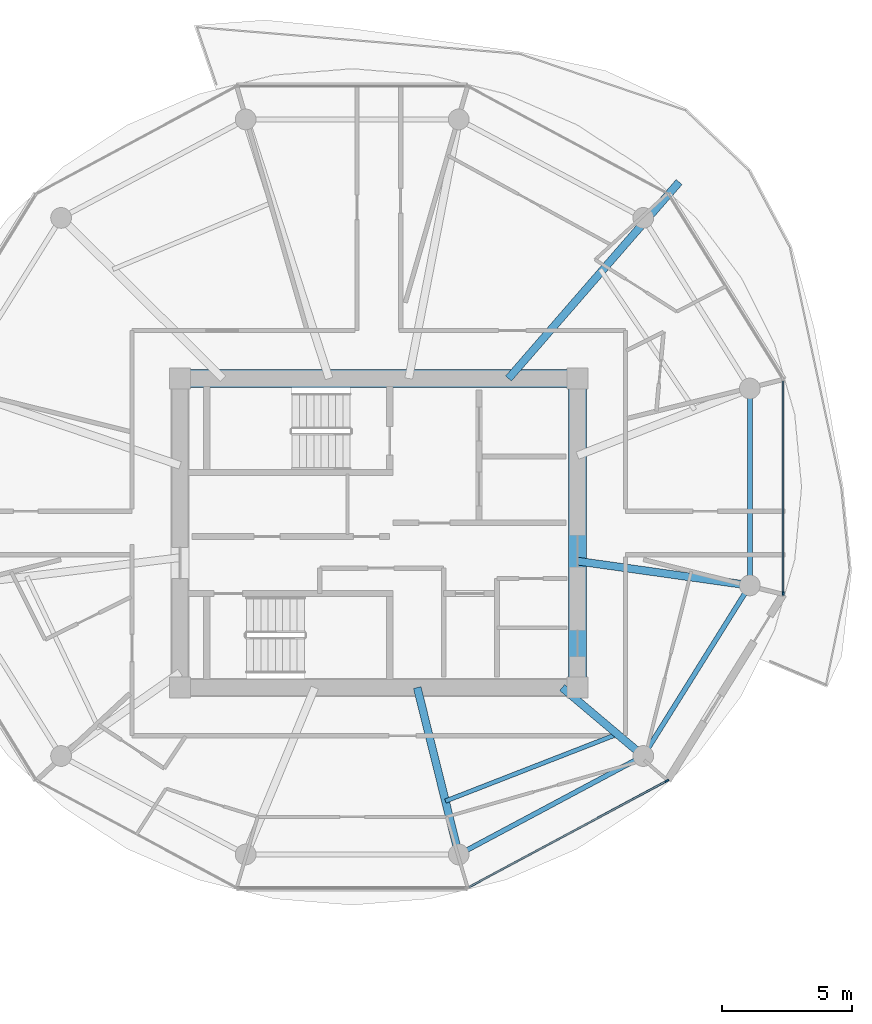
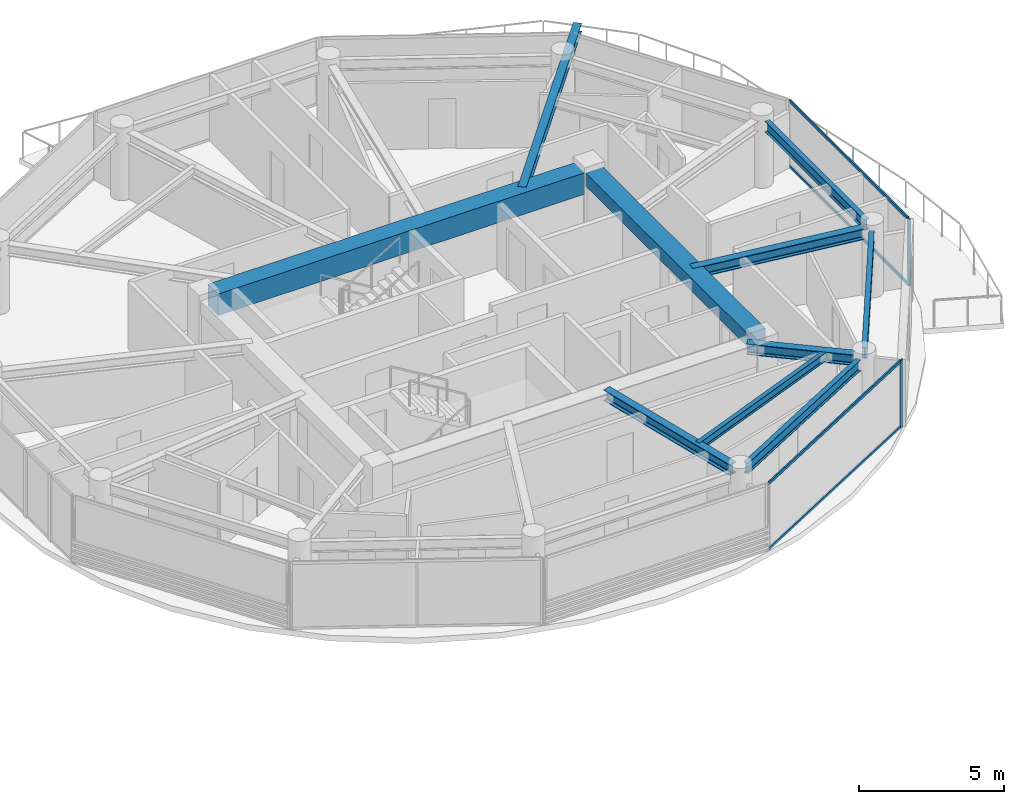
# One storey, part 9 of 22: 10 beams, 6 members, 2 elements without a shape of their own.
"""IFC4 building model written with IfcOpenShell, lengths in metres."""

import ifcopenshell
import ifcopenshell.guid

model = None  # the IFC model being written
_history = None  # IfcOwnerHistory: only IFC2X3 demands one
_inside = {}  # id of a spatial element -> (the spatial element, [elements in it])
_under = {}  # id of a project, library or spatial element -> (it, [spatial elements below it])
_declared = {}  # id of a project -> (the project, [libraries it declares])
_typed = {}  # id of a type object -> (the type object, [elements of that type])
_made_of = {}  # id of a material, layer set ... -> (it, [elements and type objects made of it])


def new_model(schema):
    """Start an empty IFC model of exactly this schema.

    Asked for "IFC4X3", IfcOpenShell would pick the latest addendum, in which some entities
    have other attributes; the version numbers below select the first issue.
    IFC2X3 requires an IfcOwnerHistory on every rooted entity: one is made here for all.
    """
    global model, _history
    if schema == "IFC4X3":
        model = ifcopenshell.file(schema_version=(4, 3, 0, 0))
    else:
        model = ifcopenshell.file(schema=schema)
    _inside.clear()
    _under.clear()
    _declared.clear()
    _typed.clear()
    _made_of.clear()
    _history = None
    if model.schema == "IFC2X3":
        org = make("IfcOrganization", Name="unknown")
        user = make(
            "IfcPersonAndOrganization",
            ThePerson=make("IfcPerson", FamilyName="unknown"),
            TheOrganization=org,
        )
        app = make(
            "IfcApplication",
            ApplicationDeveloper=org,
            Version="unknown",
            ApplicationFullName="unknown",
            ApplicationIdentifier="unknown",
        )
        _history = make(
            "IfcOwnerHistory",
            OwningUser=user,
            OwningApplication=app,
            ChangeAction="ADDED",
            CreationDate=0,
        )
    return model


def make(cls, **values):
    """One entity of the class cls with the attributes given. An attribute that is None is left unset."""
    return model.create_entity(
        cls, **{name: value for name, value in values.items() if value is not None}
    )


def rooted(cls, **values):
    """An entity with a GlobalId (a new one), such as an element, a storey or a relation."""
    return make(cls, GlobalId=ifcopenshell.guid.new(), OwnerHistory=_history, **values)


def si_unit(unit_type, name, prefix=None):
    """IfcSIUnit, for example si_unit("LENGTHUNIT", "METRE", prefix="MILLI")."""
    return make("IfcSIUnit", UnitType=unit_type, Prefix=prefix, Name=name)


def assignment(units):
    """IfcUnitAssignment: the units of a project."""
    return None if units is None else make("IfcUnitAssignment", Units=units)


def point(xyz):
    """IfcCartesianPoint."""
    return None if xyz is None else make("IfcCartesianPoint", Coordinates=xyz)


def direction(xyz):
    """IfcDirection."""
    return None if xyz is None else make("IfcDirection", DirectionRatios=xyz)


def frame(location, z_axis=None, x_axis=None):
    """IfcAxis2Placement3D, a coordinate frame: its origin and axes. An axis left out is left unset."""
    return make(
        "IfcAxis2Placement3D",
        Location=point(location),
        Axis=direction(z_axis),
        RefDirection=direction(x_axis),
    )


def frame_2d(location, x_axis=None):
    """IfcAxis2Placement2D, a coordinate frame in the plane: its origin and x axis."""
    return make(
        "IfcAxis2Placement2D", Location=point(location), RefDirection=direction(x_axis)
    )


def origin():
    """The frame at (0, 0, 0) with its axes left unset."""
    return frame((0.0, 0.0, 0.0))


def origin_2d():
    """The frame at (0, 0) in the plane with its x axis left unset."""
    return frame_2d((0.0, 0.0))


def place(relative_to, where):
    """IfcLocalPlacement: puts the frame where relative to a parent placement (None: the world)."""
    return make(
        "IfcLocalPlacement", PlacementRelTo=relative_to, RelativePlacement=where
    )


def context(
    kind, dimensions, precision=None, world=None, true_north=None, identifier=None
):
    """IfcGeometricRepresentationContext, for example the 3D "Model" context."""
    return make(
        "IfcGeometricRepresentationContext",
        ContextIdentifier=identifier,
        ContextType=kind,
        CoordinateSpaceDimension=dimensions,
        Precision=precision,
        WorldCoordinateSystem=world,
        TrueNorth=true_north,
    )


def subcontext(parent, identifier, kind, view, scale=None):
    """IfcGeometricRepresentationSubContext, for example "Body" below "Model"."""
    return make(
        "IfcGeometricRepresentationSubContext",
        ContextIdentifier=identifier,
        ContextType=kind,
        ParentContext=parent,
        TargetScale=scale,
        TargetView=view,
    )


def project(units=None, contexts=None):
    """IfcProject with its units and contexts."""
    return rooted(
        "IfcProject",
        Name="project",
        RepresentationContexts=contexts,
        UnitsInContext=assignment(units),
    )


def spatial(cls, under=None, at=None, **own):
    """A site, building, storey or space (cls), placed at a placement, below another one or the project."""
    s = rooted(cls, ObjectPlacement=at, **own)
    if under is not None:
        _under.setdefault(under.id(), (under, []))[1].append(s)
    return s


def profile(cls, at=None, kind="AREA", **sizes):
    """A parametric profile (cls). Its sizes go by their IFC names, for example OverallWidth=200.0."""
    return make(cls, ProfileType=kind, Position=at, **sizes)


def rectangle(**sizes):
    """IfcRectangleProfileDef."""
    return profile("IfcRectangleProfileDef", **sizes)


def i_section(**sizes):
    """IfcIShapeProfileDef."""
    return profile("IfcIShapeProfileDef", **sizes)


def extrude(swept, where, along, depth):
    """IfcExtrudedAreaSolid: the profile swept, set in the frame where, extruded along a direction by depth."""
    return make(
        "IfcExtrudedAreaSolid",
        SweptArea=swept,
        Position=where,
        ExtrudedDirection=direction(along),
        Depth=depth,
    )


def shape(context_of_items, identifier, shape_type, items):
    """IfcShapeRepresentation: the items that make up one representation, for example the "Body"."""
    return make(
        "IfcShapeRepresentation",
        ContextOfItems=context_of_items,
        RepresentationIdentifier=identifier,
        RepresentationType=shape_type,
        Items=items,
    )


def source(mapping_origin, context_of_items, identifier, shape_type, items):
    """IfcRepresentationMap: a shape defined once, which mapped items show again and again."""
    return make(
        "IfcRepresentationMap",
        MappingOrigin=mapping_origin,
        MappedRepresentation=shape(context_of_items, identifier, shape_type, items),
    )


def transform(
    local_origin,
    x_axis=None,
    y_axis=None,
    z_axis=None,
    scale=None,
    scale2=None,
    scale3=None,
    uniform=True,
):
    """IfcCartesianTransformationOperator3D, or its non-uniform kind. x_axis, y_axis, z_axis: its Axis1, 2, 3."""
    if uniform:
        return make(
            "IfcCartesianTransformationOperator3D",
            Axis1=direction(x_axis),
            Axis2=direction(y_axis),
            LocalOrigin=point(local_origin),
            Scale=scale,
            Axis3=direction(z_axis),
        )
    return make(
        "IfcCartesianTransformationOperator3DnonUniform",
        Axis1=direction(x_axis),
        Axis2=direction(y_axis),
        LocalOrigin=point(local_origin),
        Scale=scale,
        Axis3=direction(z_axis),
        Scale2=scale2,
        Scale3=scale3,
    )


def mapped(mapping_source, mapping_target):
    """IfcMappedItem: shows the shape of a source again, moved by a transform."""
    return make(
        "IfcMappedItem", MappingSource=mapping_source, MappingTarget=mapping_target
    )


def material(Name=None, Category=None):
    """IfcMaterial."""
    return make("IfcMaterial", Name=Name, Category=Category)


def layer(
    of_material, thickness, ventilated=None, Name=None, Category=None, Priority=None
):
    """IfcMaterialLayer: one layer of a wall or slab, of a material (None: an air gap)."""
    return make(
        "IfcMaterialLayer",
        Material=of_material,
        LayerThickness=thickness,
        IsVentilated=ventilated,
        Name=Name,
        Category=Category,
        Priority=Priority,
    )


def layer_set(layers, Name=None):
    """IfcMaterialLayerSet."""
    return make("IfcMaterialLayerSet", MaterialLayers=layers, LayerSetName=Name)


def material_profile(
    of_material, cross_section, Name=None, Category=None, Priority=None
):
    """IfcMaterialProfile: a cross section and its material."""
    return make(
        "IfcMaterialProfile",
        Name=Name,
        Material=of_material,
        Profile=cross_section,
        Priority=Priority,
        Category=Category,
    )


def profile_set(profiles, Name=None, composite=None):
    """IfcMaterialProfileSet."""
    return make(
        "IfcMaterialProfileSet",
        Name=Name,
        MaterialProfiles=profiles,
        CompositeProfile=composite,
    )


def made_of(thing, what):
    """Note that an element or type object is made of a material, layer set ...; save() writes the relation."""
    if what is not None:
        _made_of.setdefault(what.id(), (what, []))[1].append(thing)
    return thing


def type_object(cls, material=None, **own):
    """A type object (cls), such as IfcWallType, which elements share."""
    return made_of(rooted(cls, **own), material)


def type_shapes(of_type, sources):
    """Give a type object the sources (RepresentationMaps) that its elements show as mapped items."""
    of_type.RepresentationMaps = sources


def element(
    cls,
    number,
    at=None,
    inside=None,
    cuts=None,
    type_object=None,
    material=None,
    context=None,
    identifier="Body",
    shape_type=None,
    held_by="IfcProductDefinitionShape",
    body=None,
    shapes=None,
    **own,
):
    """One element of the class cls, such as IfcWall. Its Tag is "e" and its number.

    at: its placement. inside: the storey or other place that contains it. cuts: it is an
    opening in that element (IfcRelVoidsElement). A single representation is given by context,
    identifier, shape_type and body (its items); several are given by shapes. held_by: the class
    of the entity that holds the representations. save() writes the other relations.
    """
    e = rooted(cls, Tag="e%d" % number, ObjectPlacement=at, **own)
    if body is not None:
        shapes = [shape(context, identifier, shape_type, body)]
    if shapes is not None:
        e.Representation = make(held_by, Representations=shapes)
    if inside is not None:
        _inside.setdefault(inside.id(), (inside, []))[1].append(e)
    if cuts is not None:
        rooted(
            "IfcRelVoidsElement", RelatingBuildingElement=cuts, RelatedOpeningElement=e
        )
    if type_object is not None:
        _typed.setdefault(type_object.id(), (type_object, []))[1].append(e)
    return made_of(e, material)


def aggregate(whole, parts):
    """IfcRelAggregates: a whole, such as a stair, and the parts it consists of."""
    return rooted("IfcRelAggregates", RelatingObject=whole, RelatedObjects=parts)


def save(model, path):
    """Write the relations noted so far, then the file.

    IfcRelAggregates (storeys below a building ...), IfcRelContainedInSpatialStructure (elements
    in a storey), IfcRelDefinesByType, IfcRelAssociatesMaterial and IfcRelDeclares: one each for
    every whole, place, type object, material and project.
    """
    for whole, parts in _under.values():
        aggregate(whole, parts)
    for where, things in _inside.values():
        rooted(
            "IfcRelContainedInSpatialStructure",
            RelatedElements=things,
            RelatingStructure=where,
        )
    for kind, things in _typed.values():
        rooted("IfcRelDefinesByType", RelatedObjects=things, RelatingType=kind)
    for what, things in _made_of.values():
        rooted("IfcRelAssociatesMaterial", RelatedObjects=things, RelatingMaterial=what)
    for by, libraries in _declared.values():
        rooted("IfcRelDeclares", RelatingContext=by, RelatedDefinitions=libraries)
    model.write(path)


model = new_model("IFC4")

# Units and contexts
model_context = context("Model", 3, precision=1e-05, world=origin(), true_north=direction((0.0, 1.0)))
body_context = subcontext(model_context, "Body", "Model", "MODEL_VIEW")
ifc_project = project(units=[si_unit("LENGTHUNIT", "METRE"), si_unit("AREAUNIT", "SQUARE_METRE"), si_unit("VOLUMEUNIT", "CUBIC_METRE"), si_unit("PLANEANGLEUNIT", "RADIAN"), si_unit("MASSUNIT", "GRAM", prefix="KILO")], contexts=[model_context])

# Site, building, storey
site_placement = place(None, origin())
site = spatial("IfcSite", under=ifc_project, at=site_placement, CompositionType="ELEMENT")
building_placement = place(site_placement, origin())
building = spatial("IfcBuilding", under=site, at=building_placement, Name="Norrkilde Senior Care Towers", CompositionType="ELEMENT")
storey_placement = place(building_placement, frame((0.0, 0.0, 167.85009765625)))
storey = spatial("IfcBuildingStorey", under=building, at=storey_placement, Name="L52", CompositionType="ELEMENT", Elevation=167.85009765625)

# Beams
ifc_material_1 = material(Name="Concrete C60/75", Category="concrete")
ifc_material_profile_1 = material_profile(ifc_material_1, rectangle(XDim=0.699951171875, YDim=0.89990234375, at=origin_2d()), Name="RC BM 700x900")
ifc_profile_set_1 = profile_set([ifc_material_profile_1], Name="Concrete C60/75")
beam_type_1 = type_object("IfcBeamType", Name="Core Coupling Girder 700x900", PredefinedType="USERDEFINED", material=ifc_profile_set_1)
shared_shape_1 = source(origin(), body_context, "Body", "SweptSolid", [
    extrude(rectangle(XDim=0.699951171875, YDim=0.89990234375, at=origin_2d()), origin(), (0.0, 0.0, 1.0), 14.5400390625),
])
type_shapes(beam_type_1, [shared_shape_1])
beam_1_placement = place(storey_placement, frame((20.72998046875, 5.949951171875, 2.35986328125), z_axis=(1.0, 0.0, 0.0), x_axis=(0.0, 1.0, 0.0)))
element("IfcBeam", 1, at=beam_1_placement, inside=storey, type_object=beam_type_1, Name="L52 Core E N Coupling Girder", ObjectType="GIRDER", PredefinedType="USERDEFINED", context=body_context, shape_type="MappedRepresentation", body=[
    mapped(shared_shape_1, transform((0.0, 0.0, 0.0), x_axis=(1.0, 0.0, 0.0), y_axis=(0.0, 1.0, 0.0), z_axis=(0.0, 0.0, 1.0), scale=1.0)),
])
ifc_material_profile_2 = material_profile(ifc_material_1, rectangle(XDim=0.699951171875, YDim=0.550048828125, at=origin_2d()), Name="RC BM 700x550")
ifc_profile_set_2 = profile_set([ifc_material_profile_2], Name="Concrete C60/75")
beam_type_2 = type_object("IfcBeamType", Name="Core Portal Coupling Beam 700x550", PredefinedType="USERDEFINED", material=ifc_profile_set_2)
shared_shape_2 = source(origin(), body_context, "Body", "SweptSolid", [
    extrude(rectangle(XDim=0.699951171875, YDim=0.550048828125, at=origin_2d()), origin(), (0.0, 0.0, 1.0), 11.14013671875),
])
type_shapes(beam_type_2, [shared_shape_2])
beam_2_placement = place(storey_placement, frame((35.64990234375, -5.570068359375, 2.534912109375), z_axis=(0.0, 1.0, 0.0), x_axis=(-1.0, 0.0, 0.0)))
element("IfcBeam", 2, at=beam_2_placement, inside=storey, type_object=beam_type_2, Name="L52 Core E E Coupling Girder", ObjectType="GIRDER", PredefinedType="USERDEFINED", context=body_context, shape_type="MappedRepresentation", body=[
    mapped(shared_shape_2, transform((0.0, 0.0, 0.0), x_axis=(1.0, 0.0, 0.0), y_axis=(0.0, 1.0, 0.0), z_axis=(0.0, 0.0, 1.0), scale=1.0)),
])
ifc_material_2 = material(Name="Steel S355", Category="steel")
ifc_material_profile_3 = material_profile(ifc_material_2, i_section(OverallWidth=0.18994140625, OverallDepth=0.449951171875, WebThickness=0.009521484375, FlangeThickness=0.0146484375, FilletRadius=0.02099609375, at=origin_2d()), Name="IPE 450")
ifc_profile_set_3 = profile_set([ifc_material_profile_3], Name="Steel S355")
beam_type_3 = type_object("IfcBeamType", Name="Perimeter Ring Spandrel Z3 IPE450", PredefinedType="SPANDREL", material=ifc_profile_set_3)
shared_shape_3 = source(origin(), body_context, "Body", "SweptSolid", [
    extrude(i_section(OverallWidth=0.18994140625, OverallDepth=0.449951171875, WebThickness=0.009521484375, FlangeThickness=0.0146484375, FilletRadius=0.02099609375, at=origin_2d()), origin(), (0.0, 0.0, 1.0), 6.86328125),
])
beam_3_placement = place(storey_placement, frame((42.284912109375, -1.65625, 2.5849609375), z_axis=(0.0, 1.0, 0.0), x_axis=(-1.0, 0.0, 0.0)))
element("IfcBeam", 3, at=beam_3_placement, inside=storey, type_object=beam_type_3, Name="L52 Drum E Perimeter Spandrel 12", PredefinedType="SPANDREL", context=body_context, shape_type="MappedRepresentation", body=[
    mapped(shared_shape_3, transform((0.0, 0.0, 0.0), x_axis=(1.0, 0.0, 0.0), y_axis=(0.0, 1.0, 0.0), z_axis=(0.0, 0.0, 1.0), scale=1.0)),
])
shared_shape_4 = source(origin(), body_context, "Body", "SweptSolid", [
    extrude(i_section(OverallWidth=0.18994140625, OverallDepth=0.449951171875, WebThickness=0.009521484375, FlangeThickness=0.0146484375, FilletRadius=0.02099609375, at=origin_2d()), origin(), (0.0, 0.0, 1.0), 7.023193359375),
])
beam_4_placement = place(storey_placement, frame((38.373291015625, -8.2783203125, 2.5849609375), z_axis=(0.529805197269, 0.848119362441, 0.0), x_axis=(-0.848119362441, 0.529805197269, 0.0)))
element("IfcBeam", 4, at=beam_4_placement, inside=storey, type_object=beam_type_3, Name="L52 Drum E Perimeter Spandrel 11", PredefinedType="SPANDREL", context=body_context, shape_type="MappedRepresentation", body=[
    mapped(shared_shape_4, transform((0.0, 0.0, 0.0), x_axis=(1.0, 0.0, 0.0), y_axis=(0.0, 1.0, 0.0), z_axis=(0.0, 0.0, 1.0), scale=1.0)),
])
ifc_material_profile_4 = material_profile(ifc_material_2, i_section(OverallWidth=0.300048828125, OverallDepth=0.449951171875, WebThickness=0.013916015625, FlangeThickness=0.02587890625, FilletRadius=0.027099609375, at=origin_2d()), Name="HEB 450")
ifc_profile_set_4 = profile_set([ifc_material_profile_4], Name="Steel S355")
beam_type_4 = type_object("IfcBeamType", Name="Radial Floor Beam Z3 HEB450", PredefinedType="BEAM", material=ifc_profile_set_4)
shared_shape_5 = source(origin(), body_context, "Body", "SweptSolid", [
    extrude(i_section(OverallWidth=0.300048828125, OverallDepth=0.449951171875, WebThickness=0.013916015625, FlangeThickness=0.02587890625, FilletRadius=0.027099609375, at=origin_2d()), origin(), (0.0, 0.0, 1.0), 6.3408203125),
])
beam_5_placement = place(storey_placement, frame((35.64990234375, -1.079833984375, 2.5849609375), z_axis=(0.990184519576, -0.139766294905, 0.0), x_axis=(0.139766294905, 0.990184519576, 0.0)))
element("IfcBeam", 5, at=beam_5_placement, inside=storey, type_object=beam_type_4, Name="L52 Drum E Radial Floor Beam 12", PredefinedType="BEAM", context=body_context, shape_type="MappedRepresentation", body=[
    mapped(shared_shape_5, transform((0.0, 0.0, 0.0), x_axis=(1.0, 0.0, 0.0), y_axis=(0.0, 1.0, 0.0), z_axis=(0.0, 0.0, 1.0), scale=1.0)),
])
shared_shape_6 = source(origin(), body_context, "Body", "SweptSolid", [
    extrude(i_section(OverallWidth=0.18994140625, OverallDepth=0.449951171875, WebThickness=0.009521484375, FlangeThickness=0.0146484375, FilletRadius=0.02099609375, at=origin_2d()), origin(), (0.0, 0.0, 1.0), 7.333984375),
])
type_shapes(beam_type_3, [shared_shape_3, shared_shape_4, shared_shape_6])
beam_6_placement = place(storey_placement, frame((31.394775390625, -12.2060546875, 2.5849609375), z_axis=(0.882234038987, 0.470811109101, 0.0), x_axis=(-0.470811109101, 0.882234038987, 0.0)))
element("IfcBeam", 6, at=beam_6_placement, inside=storey, type_object=beam_type_3, Name="L52 Drum E Perimeter Spandrel 10", PredefinedType="SPANDREL", context=body_context, shape_type="MappedRepresentation", body=[
    mapped(shared_shape_6, transform((0.0, 0.0, 0.0), x_axis=(1.0, 0.0, 0.0), y_axis=(0.0, 1.0, 0.0), z_axis=(0.0, 0.0, 1.0), scale=1.0)),
])
shared_shape_7 = source(origin(), body_context, "Body", "SweptSolid", [
    extrude(i_section(OverallWidth=0.300048828125, OverallDepth=0.449951171875, WebThickness=0.013916015625, FlangeThickness=0.02587890625, FilletRadius=0.027099609375, at=origin_2d()), origin(), (0.0, 0.0, 1.0), 3.7265625),
])
beam_7_placement = place(storey_placement, frame((35.058349609375, -5.949951171875, 2.5849609375), z_axis=(0.764567902106, -0.644543189453, 0.0), x_axis=(0.644543189453, 0.764567902106, 0.0)))
element("IfcBeam", 7, at=beam_7_placement, inside=storey, type_object=beam_type_4, Name="L52 Drum E Radial Floor Beam 11", PredefinedType="BEAM", context=body_context, shape_type="MappedRepresentation", body=[
    mapped(shared_shape_7, transform((0.0, 0.0, 0.0), x_axis=(1.0, 0.0, 0.0), y_axis=(0.0, 1.0, 0.0), z_axis=(0.0, 0.0, 1.0), scale=1.0)),
])
shared_shape_8 = source(origin(), body_context, "Body", "SweptSolid", [
    extrude(i_section(OverallWidth=0.300048828125, OverallDepth=0.449951171875, WebThickness=0.013916015625, FlangeThickness=0.02587890625, FilletRadius=0.027099609375, at=origin_2d()), origin(), (0.0, 0.0, 1.0), 6.26123046875),
])
type_shapes(beam_type_4, [shared_shape_5, shared_shape_7, shared_shape_8])
beam_8_placement = place(storey_placement, frame((29.4794921875, -5.949951171875, 2.5849609375), z_axis=(0.241324375921, -0.970444509277, 0.0), x_axis=(0.970444509277, 0.241324375921, 0.0)))
element("IfcBeam", 8, at=beam_8_placement, inside=storey, type_object=beam_type_4, Name="L52 Drum E Radial Floor Beam 10", PredefinedType="BEAM", context=body_context, shape_type="MappedRepresentation", body=[
    mapped(shared_shape_8, transform((0.0, 0.0, 0.0), x_axis=(1.0, 0.0, 0.0), y_axis=(0.0, 1.0, 0.0), z_axis=(0.0, 0.0, 1.0), scale=1.0)),
])
ifc_material_profile_5 = material_profile(ifc_material_2, i_section(OverallWidth=0.169921875, OverallDepth=0.360107421875, WebThickness=0.008056640625, FlangeThickness=0.0126953125, FilletRadius=0.01806640625, at=origin_2d()), Name="IPE 360")
ifc_profile_set_5 = profile_set([ifc_material_profile_5], Name="Steel S355")
beam_type_5 = type_object("IfcBeamType", Name="Secondary Floor Joist IPE360", PredefinedType="JOIST", material=ifc_profile_set_5)
shared_shape_9 = source(origin(), body_context, "Body", "SweptSolid", [
    extrude(i_section(OverallWidth=0.169921875, OverallDepth=0.360107421875, WebThickness=0.008056640625, FlangeThickness=0.0126953125, FilletRadius=0.01806640625, at=origin_2d()), origin(), (0.0, 0.0, 1.0), 7.1015625),
])
type_shapes(beam_type_5, [shared_shape_9])
beam_9_placement = place(storey_placement, frame((30.56591796875, -10.3193359375, 2.6298828125), z_axis=(0.931761231292, 0.363071629106, 0.0), x_axis=(-0.363071629106, 0.931761231292, 0.0)))
element("IfcBeam", 9, at=beam_9_placement, inside=storey, type_object=beam_type_5, Name="L52 Drum E Secondary Floor Joist 4", PredefinedType="JOIST", context=body_context, shape_type="MappedRepresentation", body=[
    mapped(shared_shape_9, transform((0.0, 0.0, 0.0), x_axis=(1.0, 0.0, 0.0), y_axis=(0.0, 1.0, 0.0), z_axis=(0.0, 0.0, 1.0), scale=1.0)),
])
ifc_material_profile_6 = material_profile(ifc_material_2, i_section(OverallWidth=0.300048828125, OverallDepth=0.360107421875, WebThickness=0.012451171875, FlangeThickness=0.0224609375, FilletRadius=0.027099609375, at=origin_2d()), Name="HEB 360")
ifc_profile_set_6 = profile_set([ifc_material_profile_6], Name="Steel S355")
beam_type_6 = type_object("IfcBeamType", Name="Balcony Crest Cantilever Rib HEB360", PredefinedType="BEAM", material=ifc_profile_set_6)
shared_shape_10 = source(origin(), body_context, "Body", "SweptSolid", [
    extrude(i_section(OverallWidth=0.300048828125, OverallDepth=0.360107421875, WebThickness=0.012451171875, FlangeThickness=0.0224609375, FilletRadius=0.027099609375, at=origin_2d()), origin(), (0.0, 0.0, 1.0), 10.017578125),
])
type_shapes(beam_type_6, [shared_shape_10])
beam_10_placement = place(storey_placement, frame((32.992919921875, 5.949951171875, 2.6298828125), z_axis=(0.655704935998, 0.755017242788, 0.0), x_axis=(-0.755017242788, 0.655704935998, 0.0)))
element("IfcBeam", 10, at=beam_10_placement, inside=storey, type_object=beam_type_6, Name="L52 Drum E Balcony Cantilever Rib", PredefinedType="BEAM", context=body_context, shape_type="MappedRepresentation", body=[
    mapped(shared_shape_10, transform((0.0, 0.0, 0.0), x_axis=(1.0, 0.0, 0.0), y_axis=(0.0, 1.0, 0.0), z_axis=(0.0, 0.0, 1.0), scale=1.0)),
])

# Curtain wall, members
ifc_material_3 = material(Name="Triple Low-E Insulated Glazing", Category="glass")
ifc_layer = layer(ifc_material_3, 0.18994140625)
ifc_layer_set = layer_set([ifc_layer], Name="Triple Low-E Insulated Glazing")
curtain_wall_type = type_object("IfcCurtainWallType", Name="CW4 Zone 3 Senior Residence Curtain Wall", PredefinedType="NOTDEFINED", material=ifc_layer_set)
curtain_wall_1_placement = place(storey_placement, origin())
curtain_wall_1 = element("IfcCurtainWall", 11, at=curtain_wall_1_placement, inside=storey, type_object=curtain_wall_type, Name="L52 Drum E Curtain Wall 09", PredefinedType="NOTDEFINED")
ifc_material_4 = material(Name="Anodised Aluminium", Category="aluminium")
ifc_material_profile_7 = material_profile(ifc_material_4, rectangle(XDim=0.06005859375, YDim=0.1201171875, at=origin_2d()), Name="ALU TRAN 60x120")
ifc_profile_set_7 = profile_set([ifc_material_profile_7], Name="Anodised Aluminium")
member_type_1 = type_object("IfcMemberType", Name="Curtain Wall Transom Typical 60x120", PredefinedType="USERDEFINED", material=ifc_profile_set_7)
shared_shape_11 = source(origin(), body_context, "Body", "SweptSolid", [
    extrude(rectangle(XDim=0.06005859375, YDim=0.1201171875, at=origin_2d()), origin(), (0.0, 0.0, 1.0), 8.612060546875),
])
member_1_placement = place(storey_placement, frame((39.06591796875, -9.554931640625, 0.02978515625), z_axis=(-0.881000337462, -0.473115636384, 0.0), x_axis=(0.473115636384, -0.881000337462, 0.0)))
member_1 = element("IfcMember", 12, at=member_1_placement, type_object=member_type_1, Name="CW-4 transom 1.1", ObjectType="TRANSOM", PredefinedType="USERDEFINED", context=body_context, shape_type="MappedRepresentation", body=[
    mapped(shared_shape_11, transform((0.0, 0.0, 0.0), x_axis=(1.0, 0.0, 0.0), y_axis=(0.0, 1.0, 0.0), z_axis=(0.0, 0.0, 1.0), scale=1.0)),
])
member_2_placement = place(storey_placement, frame((39.06591796875, -9.554931640625, 2.77978515625), z_axis=(-0.881000337462, -0.473115636384, 0.0), x_axis=(0.473115636384, -0.881000337462, 0.0)))
member_2 = element("IfcMember", 13, at=member_2_placement, type_object=member_type_1, Name="CW-4 transom 1.2", ObjectType="TRANSOM", PredefinedType="USERDEFINED", context=body_context, shape_type="MappedRepresentation", body=[
    mapped(shared_shape_11, transform((0.0, 0.0, 0.0), x_axis=(1.0, 0.0, 0.0), y_axis=(0.0, 1.0, 0.0), z_axis=(0.0, 0.0, 1.0), scale=1.0)),
])

curtain_wall_2_placement = place(storey_placement, origin())
curtain_wall_2 = element("IfcCurtainWall", 14, at=curtain_wall_2_placement, inside=storey, type_object=curtain_wall_type, Name="L52 Drum E Curtain Wall 11", PredefinedType="NOTDEFINED")
shared_shape_12 = source(origin(), body_context, "Body", "SweptSolid", [
    extrude(rectangle(XDim=0.06005859375, YDim=0.1201171875, at=origin_2d()), origin(), (0.0, 0.0, 1.0), 8.141845703125),
])
type_shapes(member_type_1, [shared_shape_11, shared_shape_12])
member_3_placement = place(storey_placement, frame((43.569580078125, 5.84619140625, 0.02978515625), z_axis=(0.0, -1.0, 0.0), x_axis=(1.0, 0.0, 0.0)))
member_3 = element("IfcMember", 15, at=member_3_placement, type_object=member_type_1, Name="CW-4 transom 1.1", ObjectType="TRANSOM", PredefinedType="USERDEFINED", context=body_context, shape_type="MappedRepresentation", body=[
    mapped(shared_shape_12, transform((0.0, 0.0, 0.0), x_axis=(1.0, 0.0, 0.0), y_axis=(0.0, 1.0, 0.0), z_axis=(0.0, 0.0, 1.0), scale=1.0)),
])
member_4_placement = place(storey_placement, frame((43.569580078125, 5.84619140625, 2.77978515625), z_axis=(0.0, -1.0, 0.0), x_axis=(1.0, 0.0, 0.0)))
member_4 = element("IfcMember", 16, at=member_4_placement, type_object=member_type_1, Name="CW-4 transom 1.2", ObjectType="TRANSOM", PredefinedType="USERDEFINED", context=body_context, shape_type="MappedRepresentation", body=[
    mapped(shared_shape_12, transform((0.0, 0.0, 0.0), x_axis=(1.0, 0.0, 0.0), y_axis=(0.0, 1.0, 0.0), z_axis=(0.0, 0.0, 1.0), scale=1.0)),
])

# Member
ifc_material_profile_8 = material_profile(ifc_material_4, rectangle(XDim=0.06494140625, YDim=0.14990234375, at=origin_2d()), Name="ALU MULL 65x150")
ifc_profile_set_8 = profile_set([ifc_material_profile_8], Name="Anodised Aluminium")
member_type_2 = type_object("IfcMemberType", Name="Curtain Wall Mullion Z3-Z4 65x150", PredefinedType="MULLION", material=ifc_profile_set_8)
shared_shape_13 = source(origin(), body_context, "Body", "SweptSolid", [
    extrude(rectangle(XDim=0.06494140625, YDim=0.14990234375, at=origin_2d()), origin(), (0.0, 0.0, 1.0), 2.809814453125),
])
type_shapes(member_type_2, [shared_shape_13])
member_5_placement = place(storey_placement, frame((39.094482421875, -9.53955078125, 0.0), z_axis=(0.0, 0.0, 1.0), x_axis=(0.47311715104, -0.880999524059, 0.0)))
member_5 = element("IfcMember", 17, at=member_5_placement, type_object=member_type_2, Name="CW-4 mullion 1", PredefinedType="MULLION", context=body_context, shape_type="MappedRepresentation", body=[
    mapped(shared_shape_13, transform((0.0, 0.0, 0.0), x_axis=(1.0, 0.0, 0.0), y_axis=(0.0, 1.0, 0.0), z_axis=(0.0, 0.0, 1.0), scale=1.0)),
])

aggregate(curtain_wall_1, [member_5, member_1, member_2])

member_6_placement = place(storey_placement, frame((43.569580078125, -2.328125, 0.0), z_axis=(0.0, 0.0, 1.0), x_axis=(1.0, 0.0, 0.0)))
member_6 = element("IfcMember", 18, at=member_6_placement, type_object=member_type_2, Name="CW-4 mullion 2", PredefinedType="MULLION", context=body_context, shape_type="MappedRepresentation", body=[
    mapped(shared_shape_13, transform((0.0, 0.0, 0.0), x_axis=(1.0, 0.0, 0.0), y_axis=(0.0, 1.0, 0.0), z_axis=(0.0, 0.0, 1.0), scale=1.0)),
])

aggregate(curtain_wall_2, [member_6, member_3, member_4])

save(model, "model.ifc")
